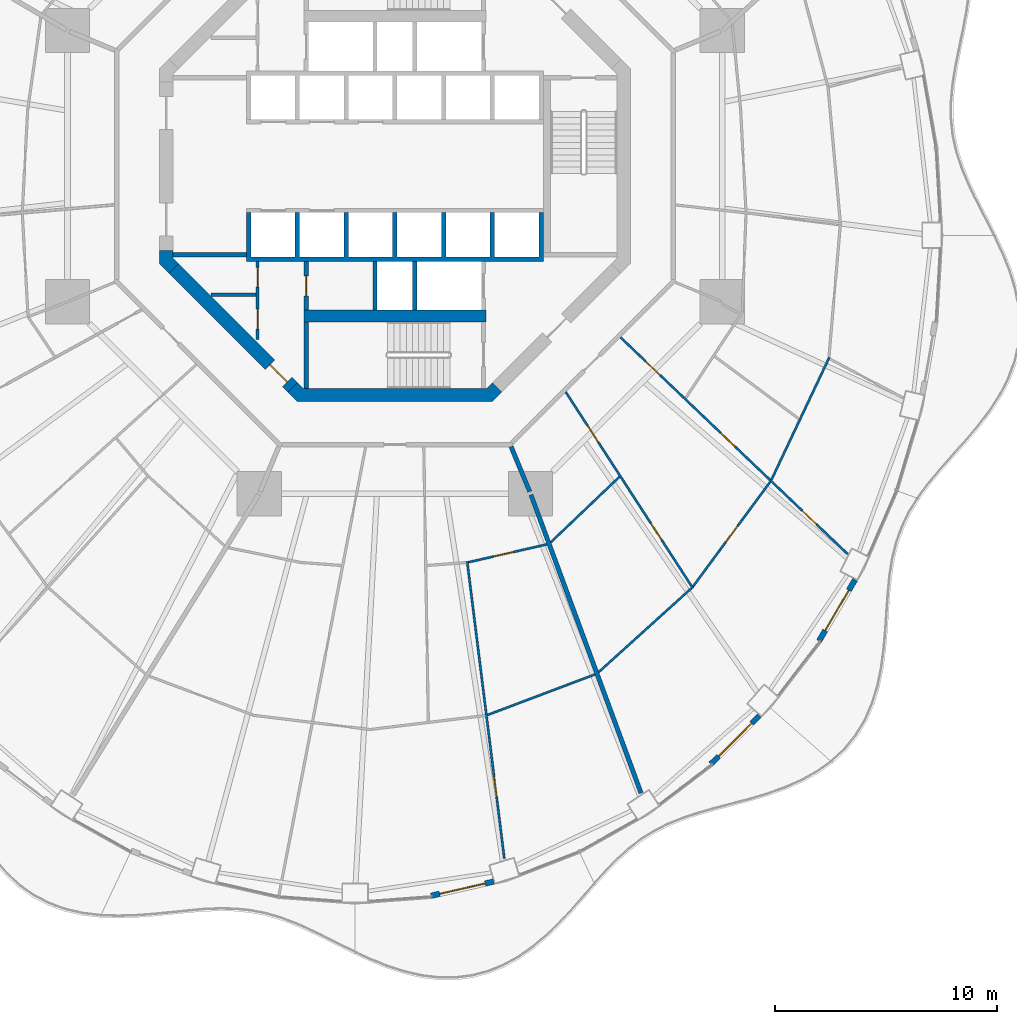
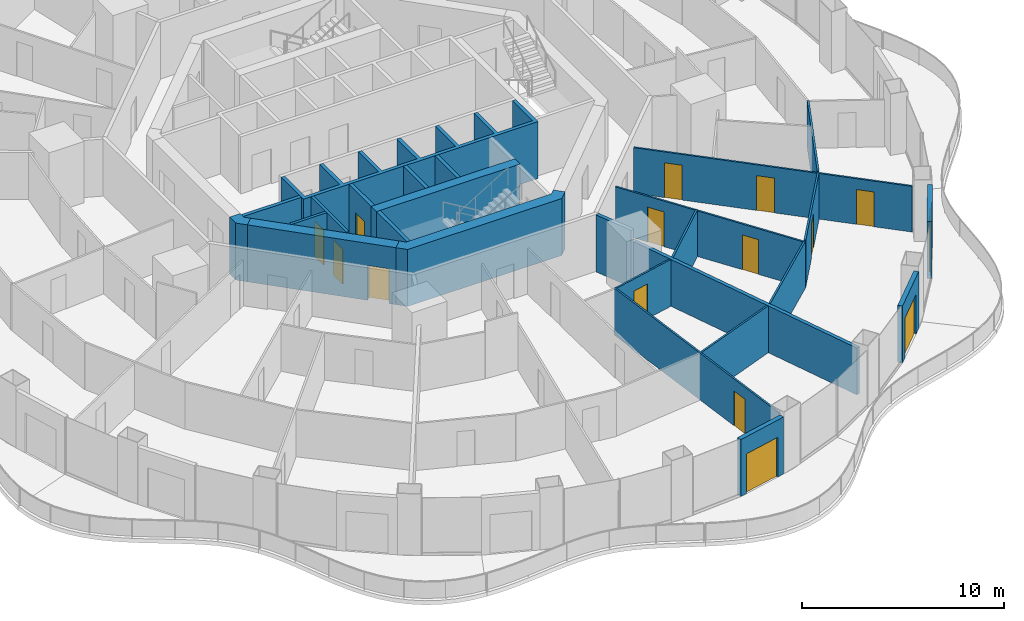
# One storey, part 13 of 20: 26 walls, 15 doors, 15 openings.
"""IFC4 building model written with IfcOpenShell, lengths in metres."""

from ifc_helpers import new_model, si_unit, direction, frame, frame_2d, origin, place, context, subcontext, project, spatial, polyline, rectangle, outline, extrude, material, layer, layer_set, type_object, element, fill, save


model = new_model("IFC4")

# Units and contexts
model_context = context("Model", 3, precision=1e-05, world=origin(), true_north=direction((0.0, 1.0)))
body_context = subcontext(model_context, "Body", "Model", "MODEL_VIEW")
ifc_project = project(units=[si_unit("LENGTHUNIT", "METRE"), si_unit("AREAUNIT", "SQUARE_METRE"), si_unit("VOLUMEUNIT", "CUBIC_METRE"), si_unit("PLANEANGLEUNIT", "RADIAN"), si_unit("MASSUNIT", "GRAM", prefix="KILO")], contexts=[model_context])

# Site, building, storey
site_placement = place(None, origin())
site = spatial("IfcSite", under=ifc_project, at=site_placement, CompositionType="ELEMENT")
building_placement = place(site_placement, origin())
building = spatial("IfcBuilding", under=site, at=building_placement, Name="Nagisa Residences", CompositionType="ELEMENT")
storey_placement = place(building_placement, frame((0.0, 0.0, 130.699951171875)))
storey = spatial("IfcBuildingStorey", under=building, at=storey_placement, Name="L32", CompositionType="ELEMENT", Elevation=130.699951171875)

# Walls
ifc_material_1 = material(Name="Gypsum board on steel studs", Category="steel")
ifc_layer_1 = layer(ifc_material_1, 0.199951171875)
ifc_layer_set_1 = layer_set([ifc_layer_1], Name="Apartment compartment wall EI60 200")
wall_type_1 = type_object("IfcWallType", Name="Apartment compartment wall EI60 200", PredefinedType="PARTITIONING", material=ifc_layer_set_1)
wall_1_placement = place(storey_placement, frame((5.24267578125, -12.6572265625, 0.0), z_axis=(0.0, 0.0, 1.0), x_axis=(0.38273085373, -0.923859888513, 0.0)))
element("IfcWall", 1, at=wall_1_placement, inside=storey, type_object=wall_type_1, Name="wall:L32:u08", PredefinedType="PARTITIONING", context=body_context, shape_type="SweptSolid", body=[
    extrude(rectangle(XDim=2.199462890625, YDim=0.199951171875, at=frame_2d((1.099609375, 0.0))), origin(), (0.0, 0.0, 1.0), 3.43994140625),
])
wall_2_placement = place(storey_placement, frame((6.14013671875, -14.8291015625, 0.0), z_axis=(0.0, 0.0, 1.0), x_axis=(0.346169582481, -0.938171956608, 0.0)))
element("IfcWall", 2, at=wall_2_placement, inside=storey, type_object=wall_type_1, Name="wall:L32:u09", PredefinedType="PARTITIONING", context=body_context, shape_type="SweptSolid", body=[
    extrude(rectangle(XDim=14.353515625, YDim=0.199951171875, at=frame_2d((7.1767578125, 0.0))), origin(), (0.0, 0.0, 1.0), 2.828125),
])

# Wall, opening, door
ifc_material_2 = material(Name="Gypsum board on steel studs", Category="steel")
ifc_layer_2 = layer(ifc_material_2, 0.10009765625)
ifc_layer_set_2 = layer_set([ifc_layer_2], Name="Apartment partition 100")
wall_type_2 = type_object("IfcWallType", Name="Apartment partition 100", PredefinedType="PARTITIONING", material=ifc_layer_set_2)
wall_3_placement = place(storey_placement, frame((3.26171875, -17.83935546875, 0.0), z_axis=(0.0, 0.0, 1.0), x_axis=(0.124074750982, -0.992272873845, 0.0)))
wall_3 = element("IfcWall", 3, at=wall_3_placement, inside=storey, type_object=wall_type_2, Name="wall:L32:u78", PredefinedType="PARTITIONING", context=body_context, shape_type="SweptSolid", body=[
    extrude(rectangle(XDim=13.51611328125, YDim=0.10009765625, at=frame_2d((6.758056640625, 0.0))), origin(), (0.0, 0.0, 1.0), 2.828125),
])
opening_1_placement = place(wall_3_placement, frame((9.810791015625, 0.0, 0.0)))
opening_1 = element("IfcOpeningElement", 4, at=opening_1_placement, cuts=wall_3, Name="Opening L32-U30", PredefinedType="OPENING", context=body_context, shape_type="SweptSolid", body=[
    extrude(rectangle(XDim=0.89990234375, YDim=2.10009765625, at=frame_2d((0.449951171875, 1.050048828125))), frame((0.0, 0.06005859375, 0.0), z_axis=(0.0, -1.0, 0.0), x_axis=(1.0, 0.0, 0.0)), (0.0, 0.0, 1.0), 0.1201171875),
])
ifc_material_3 = material(Name="Timber door set", Category="wood")
door_type_1 = type_object("IfcDoorType", Name="Apartment door 900x2100", OperationType="NOTDEFINED", PredefinedType="DOOR", material=ifc_material_3)
door_1_placement = place(opening_1_placement, origin())
door_1 = element("IfcDoor", 5, at=door_1_placement, inside=storey, type_object=door_type_1, Name="Door to master bedroom, Apartment 32C", OperationType="SINGLE_SWING_RIGHT", OverallHeight=2.10009765625, OverallWidth=0.89990234375, PredefinedType="DOOR", context=body_context, shape_type="SweptSolid", body=[
    extrude(rectangle(XDim=0.89990234375, YDim=2.10009765625, at=frame_2d((0.449951171875, 1.050048828125))), frame((0.0, 0.02490234375, 0.0), z_axis=(0.0, -1.0, 0.0), x_axis=(1.0, 0.0, 0.0)), (0.0, 0.0, 1.0), 0.050048828125),
])
fill(opening_1, door_1)

wall_4_placement = place(storey_placement, frame((3.316650390625, -17.8779296875, 0.0), z_axis=(0.0, 0.0, 1.0), x_axis=(0.975095905288, 0.221783623135, 0.0)))
wall_4 = element("IfcWall", 6, at=wall_4_placement, inside=storey, type_object=wall_type_2, Name="wall:L32:u79", PredefinedType="PARTITIONING", context=body_context, shape_type="SweptSolid", body=[
    extrude(rectangle(XDim=3.635986328125, YDim=0.10009765625, at=frame_2d((1.81787109375, 0.0))), origin(), (0.0, 0.0, 1.0), 2.828125),
])
opening_2_placement = place(wall_4_placement, frame((1.164306640625, 0.0, 0.0)))
opening_2 = element("IfcOpeningElement", 7, at=opening_2_placement, cuts=wall_4, Name="Opening L32-U27", PredefinedType="OPENING", context=body_context, shape_type="SweptSolid", body=[
    extrude(rectangle(XDim=0.89990234375, YDim=2.10009765625, at=frame_2d((0.449951171875, 1.050048828125))), frame((0.0, 0.06005859375, 0.0), z_axis=(0.0, -1.0, 0.0), x_axis=(1.0, 0.0, 0.0)), (0.0, 0.0, 1.0), 0.1201171875),
])
door_2_placement = place(opening_2_placement, frame((0.89990234375, 0.0, 0.0), x_axis=(-1.0, 0.0, 0.0)))
door_2 = element("IfcDoor", 8, at=door_2_placement, inside=storey, type_object=door_type_1, Name="Door to study, Apartment 32C", OperationType="SINGLE_SWING_RIGHT", OverallHeight=2.10009765625, OverallWidth=0.89990234375, PredefinedType="DOOR", context=body_context, shape_type="SweptSolid", body=[
    extrude(rectangle(XDim=0.89990234375, YDim=2.10009765625, at=frame_2d((0.449951171875, 1.050048828125))), frame((0.0, 0.02490234375, 0.0), z_axis=(0.0, -1.0, 0.0), x_axis=(1.0, 0.0, 0.0)), (0.0, 0.0, 1.0), 0.050048828125),
])
fill(opening_2, door_2)

# Walls
wall_5_placement = place(storey_placement, frame((4.177734375, -24.77294921875, 0.0), z_axis=(0.0, 0.0, 1.0), x_axis=(0.935583811437, 0.353104703702, 0.0)))
element("IfcWall", 9, at=wall_5_placement, inside=storey, type_object=wall_type_2, Name="wall:L32:u80", PredefinedType="PARTITIONING", context=body_context, shape_type="SweptSolid", body=[
    extrude(rectangle(XDim=5.18359375, YDim=0.10009765625, at=frame_2d((2.591796875, 0.0))), origin(), (0.0, 0.0, 1.0), 2.828125),
])
wall_6_placement = place(storey_placement, frame((7.031982421875, -16.98046875, 0.0), z_axis=(0.0, 0.0, 1.0), x_axis=(0.723709759148, 0.690104473622, 0.0)))
element("IfcWall", 10, at=wall_6_placement, inside=storey, type_object=wall_type_2, Name="wall:L32:u81", PredefinedType="PARTITIONING", context=body_context, shape_type="SweptSolid", body=[
    extrude(rectangle(XDim=4.286376953125, YDim=0.10009765625, at=frame_2d((2.14306640625, 0.0))), origin(), (0.0, 0.0, 1.0), 2.828125),
])
wall_7_placement = place(storey_placement, frame((9.195068359375, -22.84033203125, 0.0), z_axis=(0.0, 0.0, 1.0), x_axis=(0.741675855479, 0.670758470241, 0.0)))
element("IfcWall", 11, at=wall_7_placement, inside=storey, type_object=wall_type_2, Name="wall:L32:u82", PredefinedType="PARTITIONING", context=body_context, shape_type="SweptSolid", body=[
    extrude(rectangle(XDim=5.65625, YDim=0.10009765625, at=frame_2d((2.828125, 0.0))), origin(), (0.0, 0.0, 1.0), 2.828125),
])

# Wall, openings, doors
wall_8_placement = place(storey_placement, frame((7.71240234375, -10.1953125, 0.0), z_axis=(0.0, 0.0, 1.0), x_axis=(0.543868615753, -0.839170381269, 0.0)))
wall_8 = element("IfcWall", 12, at=wall_8_placement, inside=storey, type_object=wall_type_2, Name="wall:L32:u83", PredefinedType="PARTITIONING", context=body_context, shape_type="SweptSolid", body=[
    extrude(rectangle(XDim=10.5576171875, YDim=0.10009765625, at=frame_2d((5.27880859375, 0.0))), origin(), (0.0, 0.0, 1.0), 2.756103515625),
])
opening_3_placement = place(wall_8_placement, frame((1.809814453125, 0.0, 0.0)))
opening_3 = element("IfcOpeningElement", 13, at=opening_3_placement, cuts=wall_8, Name="Opening L32-U32", PredefinedType="OPENING", context=body_context, shape_type="SweptSolid", body=[
    extrude(rectangle(XDim=0.89990234375, YDim=2.10009765625, at=frame_2d((0.449951171875, 1.050048828125))), frame((0.0, 0.06005859375, 0.0), z_axis=(0.0, -1.0, 0.0), x_axis=(1.0, 0.0, 0.0)), (0.0, 0.0, 1.0), 0.1201171875),
])
opening_4_placement = place(wall_8_placement, frame((7.063720703125, 0.0, 0.0)))
opening_4 = element("IfcOpeningElement", 14, at=opening_4_placement, cuts=wall_8, Name="Opening L32-U34", PredefinedType="OPENING", context=body_context, shape_type="SweptSolid", body=[
    extrude(rectangle(XDim=0.89990234375, YDim=2.10009765625, at=frame_2d((0.449951171875, 1.050048828125))), frame((0.0, 0.06005859375, 0.0), z_axis=(0.0, -1.0, 0.0), x_axis=(1.0, 0.0, 0.0)), (0.0, 0.0, 1.0), 0.1201171875),
])
door_3_placement = place(opening_3_placement, frame((0.89990234375, 0.0, 0.0), x_axis=(-1.0, 0.0, 0.0)))
door_3 = element("IfcDoor", 15, at=door_3_placement, inside=storey, type_object=door_type_1, Name="Door to family bathroom, Apartment 32D", OperationType="SINGLE_SWING_LEFT", OverallHeight=2.10009765625, OverallWidth=0.89990234375, PredefinedType="DOOR", context=body_context, shape_type="SweptSolid", body=[
    extrude(rectangle(XDim=0.89990234375, YDim=2.10009765625, at=frame_2d((0.449951171875, 1.050048828125))), frame((0.0, 0.02490234375, 0.0), z_axis=(0.0, -1.0, 0.0), x_axis=(1.0, 0.0, 0.0)), (0.0, 0.0, 1.0), 0.050048828125),
])
fill(opening_3, door_3)
door_4_placement = place(opening_4_placement, frame((0.89990234375, 0.0, 0.0), x_axis=(-1.0, 0.0, 0.0)))
door_4 = element("IfcDoor", 16, at=door_4_placement, inside=storey, type_object=door_type_1, Name="Door to study, Apartment 32D", OperationType="SINGLE_SWING_LEFT", OverallHeight=2.10009765625, OverallWidth=0.89990234375, PredefinedType="DOOR", context=body_context, shape_type="SweptSolid", body=[
    extrude(rectangle(XDim=0.89990234375, YDim=2.10009765625, at=frame_2d((0.449951171875, 1.050048828125))), frame((0.0, 0.02490234375, 0.0), z_axis=(0.0, -1.0, 0.0), x_axis=(1.0, 0.0, 0.0)), (0.0, 0.0, 1.0), 0.050048828125),
])
fill(opening_4, door_4)

# Wall, opening, door
wall_9_placement = place(storey_placement, frame((13.456787109375, -18.97265625, 0.0), z_axis=(0.0, 0.0, 1.0), x_axis=(0.593532053206, 0.80481035146, 0.0)))
wall_9 = element("IfcWall", 17, at=wall_9_placement, inside=storey, type_object=wall_type_2, Name="wall:L32:u84", PredefinedType="PARTITIONING", context=body_context, shape_type="SweptSolid", body=[
    extrude(rectangle(XDim=5.8759765625, YDim=0.10009765625, at=frame_2d((2.93798828125, 0.0))), origin(), (0.0, 0.0, 1.0), 2.828125),
])
opening_5_placement = place(wall_9_placement, frame((2.48779296875, 0.0, 0.0)))
opening_5 = element("IfcOpeningElement", 18, at=opening_5_placement, cuts=wall_9, Name="Opening L32-U36", PredefinedType="OPENING", context=body_context, shape_type="SweptSolid", body=[
    extrude(rectangle(XDim=0.89990234375, YDim=2.10009765625, at=frame_2d((0.449951171875, 1.050048828125))), frame((0.0, 0.06005859375, 0.0), z_axis=(0.0, -1.0, 0.0), x_axis=(1.0, 0.0, 0.0)), (0.0, 0.0, 1.0), 0.1201171875),
])
door_5_placement = place(opening_5_placement, frame((0.89990234375, 0.0, 0.0), x_axis=(-1.0, 0.0, 0.0)))
door_5 = element("IfcDoor", 19, at=door_5_placement, inside=storey, type_object=door_type_1, Name="Door to family room, Apartment 32D", OperationType="SINGLE_SWING_LEFT", OverallHeight=2.10009765625, OverallWidth=0.89990234375, PredefinedType="DOOR", context=body_context, shape_type="SweptSolid", body=[
    extrude(rectangle(XDim=0.89990234375, YDim=2.10009765625, at=frame_2d((0.449951171875, 1.050048828125))), frame((0.0, 0.02490234375, 0.0), z_axis=(0.0, -1.0, 0.0), x_axis=(1.0, 0.0, 0.0)), (0.0, 0.0, 1.0), 0.050048828125),
])
fill(opening_5, door_5)

# Wall, openings, doors
wall_10_placement = place(storey_placement, frame((10.18359375, -7.72705078125, 0.0), z_axis=(0.0, 0.0, 1.0), x_axis=(0.723635100101, -0.690182759783, 0.0)))
wall_10 = element("IfcWall", 20, at=wall_10_placement, inside=storey, type_object=wall_type_2, Name="wall:L32:u85", PredefinedType="PARTITIONING", context=body_context, shape_type="SweptSolid", body=[
    extrude(rectangle(XDim=14.173095703125, YDim=0.10009765625, at=frame_2d((7.08642578125, 0.0))), origin(), (0.0, 0.0, 1.0), 2.756103515625),
])
opening_6_placement = place(wall_10_placement, frame((1.56494140625, 0.0, 0.0)))
opening_6 = element("IfcOpeningElement", 21, at=opening_6_placement, cuts=wall_10, Name="Opening L32-U33", PredefinedType="OPENING", context=body_context, shape_type="SweptSolid", body=[
    extrude(rectangle(XDim=0.89990234375, YDim=2.10009765625, at=frame_2d((0.449951171875, 1.050048828125))), frame((0.0, 0.06005859375, 0.0), z_axis=(0.0, -1.0, 0.0), x_axis=(1.0, 0.0, 0.0)), (0.0, 0.0, 1.0), 0.1201171875),
])
opening_7_placement = place(wall_10_placement, frame((6.2568359375, 0.0, 0.0)))
opening_7 = element("IfcOpeningElement", 22, at=opening_7_placement, cuts=wall_10, Name="Opening L32-U35", PredefinedType="OPENING", context=body_context, shape_type="SweptSolid", body=[
    extrude(rectangle(XDim=0.89990234375, YDim=2.10009765625, at=frame_2d((0.449951171875, 1.050048828125))), frame((0.0, 0.06005859375, 0.0), z_axis=(0.0, -1.0, 0.0), x_axis=(1.0, 0.0, 0.0)), (0.0, 0.0, 1.0), 0.1201171875),
])
opening_8_placement = place(wall_10_placement, frame((11.328369140625, 0.0, 0.0)))
opening_8 = element("IfcOpeningElement", 23, at=opening_8_placement, cuts=wall_10, Name="Opening L32-U37", PredefinedType="OPENING", context=body_context, shape_type="SweptSolid", body=[
    extrude(rectangle(XDim=0.89990234375, YDim=2.10009765625, at=frame_2d((0.449951171875, 1.050048828125))), frame((0.0, 0.06005859375, 0.0), z_axis=(0.0, -1.0, 0.0), x_axis=(1.0, 0.0, 0.0)), (0.0, 0.0, 1.0), 0.1201171875),
])
door_6_placement = place(opening_6_placement, origin())
door_6 = element("IfcDoor", 24, at=door_6_placement, inside=storey, type_object=door_type_1, Name="Door to family bathroom, Apartment 32D", OperationType="SINGLE_SWING_LEFT", OverallHeight=2.10009765625, OverallWidth=0.89990234375, PredefinedType="DOOR", context=body_context, shape_type="SweptSolid", body=[
    extrude(rectangle(XDim=0.89990234375, YDim=2.10009765625, at=frame_2d((0.449951171875, 1.050048828125))), frame((0.0, 0.02490234375, 0.0), z_axis=(0.0, -1.0, 0.0), x_axis=(1.0, 0.0, 0.0)), (0.0, 0.0, 1.0), 0.050048828125),
])
fill(opening_6, door_6)
door_7_placement = place(opening_7_placement, origin())
door_7 = element("IfcDoor", 25, at=door_7_placement, inside=storey, type_object=door_type_1, Name="Door to family bathroom, Apartment 32D", OperationType="SINGLE_SWING_LEFT", OverallHeight=2.10009765625, OverallWidth=0.89990234375, PredefinedType="DOOR", context=body_context, shape_type="SweptSolid", body=[
    extrude(rectangle(XDim=0.89990234375, YDim=2.10009765625, at=frame_2d((0.449951171875, 1.050048828125))), frame((0.0, 0.02490234375, 0.0), z_axis=(0.0, -1.0, 0.0), x_axis=(1.0, 0.0, 0.0)), (0.0, 0.0, 1.0), 0.050048828125),
])
fill(opening_7, door_7)
door_8_placement = place(opening_8_placement, origin())
door_8 = element("IfcDoor", 26, at=door_8_placement, inside=storey, type_object=door_type_1, Name="Door to bedroom, Apartment 32D", OperationType="SINGLE_SWING_LEFT", OverallHeight=2.10009765625, OverallWidth=0.89990234375, PredefinedType="DOOR", context=body_context, shape_type="SweptSolid", body=[
    extrude(rectangle(XDim=0.89990234375, YDim=2.10009765625, at=frame_2d((0.449951171875, 1.050048828125))), frame((0.0, 0.02490234375, 0.0), z_axis=(0.0, -1.0, 0.0), x_axis=(1.0, 0.0, 0.0)), (0.0, 0.0, 1.0), 0.050048828125),
])
fill(opening_8, door_8)

# Wall
wall_11_placement = place(storey_placement, frame((16.995361328125, -14.158203125, 0.0), z_axis=(0.0, 0.0, 1.0), x_axis=(0.427456178439, 0.904036069808, 0.0)))
element("IfcWall", 27, at=wall_11_placement, inside=storey, type_object=wall_type_2, Name="wall:L32:u87", PredefinedType="PARTITIONING", context=body_context, shape_type="SweptSolid", body=[
    extrude(rectangle(XDim=6.113037109375, YDim=0.10009765625, at=frame_2d((3.056640625, 0.0))), origin(), (0.0, 0.0, 1.0), 2.828125),
])

# Wall, opening, door
ifc_material_4 = material(Name="Precast concrete C40/50", Category="concrete")
ifc_layer_3 = layer(ifc_material_4, 0.25)
ifc_layer_set_3 = layer_set([ifc_layer_3], Name="BALCONY DOOR WALL 250")
wall_type_3 = type_object("IfcWallType", Name="BALCONY DOOR WALL 250", PredefinedType="SOLIDWALL", material=ifc_layer_set_3)
wall_12_placement = place(storey_placement, frame((4.455078125, -32.29443359375, 0.0), z_axis=(0.0, 0.0, 1.0), x_axis=(-0.975339035722, -0.220711951186, 0.0)))
wall_12 = element("IfcWall", 28, at=wall_12_placement, inside=storey, type_object=wall_type_3, Name="wall:L32:bay37", PredefinedType="SOLIDWALL", context=body_context, shape_type="SweptSolid", body=[
    extrude(rectangle(XDim=2.890380859375, YDim=0.25, at=frame_2d((1.4453125, 0.0))), origin(), (0.0, 0.0, 1.0), 3.43994140625),
])
opening_9_placement = place(wall_12_placement, frame((0.395263671875, 0.0, 0.0)))
opening_9 = element("IfcOpeningElement", 29, at=opening_9_placement, cuts=wall_12, Name="Opening BD-L32-13", PredefinedType="OPENING", context=body_context, shape_type="SweptSolid", body=[
    extrude(rectangle(XDim=2.10009765625, YDim=2.39990234375, at=frame_2d((1.050048828125, 1.199951171875))), frame((0.0, 0.135009765625, 0.0), z_axis=(0.0, -1.0, 0.0), x_axis=(1.0, 0.0, 0.0)), (0.0, 0.0, 1.0), 0.27001953125),
])
ifc_material_5 = material(Name="Aluminium and clear glass", Category="aluminium")
door_type_2 = type_object("IfcDoorType", Name="BALCONY SLIDING DOOR 2100x2400", OperationType="SLIDING_TO_LEFT", PredefinedType="DOOR", material=ifc_material_5)
door_9_placement = place(opening_9_placement, origin())
door_9 = element("IfcDoor", 30, at=door_9_placement, inside=storey, type_object=door_type_2, Name="door:L32:bay37", OperationType="SLIDING_TO_LEFT", OverallHeight=2.39990234375, OverallWidth=2.10009765625, PredefinedType="DOOR", context=body_context, shape_type="SweptSolid", body=[
    extrude(rectangle(XDim=2.10009765625, YDim=2.39990234375, at=frame_2d((1.050048828125, 1.199951171875))), frame((0.0, 0.02490234375, 0.0), z_axis=(0.0, -1.0, 0.0), x_axis=(1.0, 0.0, 0.0)), (0.0, 0.0, 1.0), 0.050048828125),
])
fill(opening_9, door_9)

wall_13_placement = place(storey_placement, frame((16.4501953125, -24.80419921875, 0.0), z_axis=(0.0, 0.0, 1.0), x_axis=(-0.707857739375, -0.706355024621, 0.0)))
wall_13 = element("IfcWall", 31, at=wall_13_placement, inside=storey, type_object=wall_type_3, Name="wall:L32:bay41", PredefinedType="SOLIDWALL", context=body_context, shape_type="SweptSolid", body=[
    extrude(rectangle(XDim=3.0869140625, YDim=0.25, at=frame_2d((1.54345703125, 0.0))), origin(), (0.0, 0.0, 1.0), 3.43994140625),
])
opening_10_placement = place(wall_13_placement, frame((0.493408203125, 0.0, 0.0)))
opening_10 = element("IfcOpeningElement", 32, at=opening_10_placement, cuts=wall_13, Name="Opening BD-L32-14", PredefinedType="OPENING", context=body_context, shape_type="SweptSolid", body=[
    extrude(rectangle(XDim=2.10009765625, YDim=2.39990234375, at=frame_2d((1.050048828125, 1.199951171875))), frame((0.0, 0.135009765625, 0.0), z_axis=(0.0, -1.0, 0.0), x_axis=(1.0, 0.0, 0.0)), (0.0, 0.0, 1.0), 0.27001953125),
])
door_10_placement = place(opening_10_placement, origin())
door_10 = element("IfcDoor", 33, at=door_10_placement, inside=storey, type_object=door_type_2, Name="door:L32:bay41", OperationType="SLIDING_TO_LEFT", OverallHeight=2.39990234375, OverallWidth=2.10009765625, PredefinedType="DOOR", context=body_context, shape_type="SweptSolid", body=[
    extrude(rectangle(XDim=2.10009765625, YDim=2.39990234375, at=frame_2d((1.050048828125, 1.199951171875))), frame((0.0, 0.02490234375, 0.0), z_axis=(0.0, -1.0, 0.0), x_axis=(1.0, 0.0, 0.0)), (0.0, 0.0, 1.0), 0.050048828125),
])
fill(opening_10, door_10)

wall_14_placement = place(storey_placement, frame((20.768310546875, -18.669189453125, 0.0), z_axis=(0.0, 0.0, 1.0), x_axis=(-0.506314982873, -0.862348617508, 0.0)))
wall_14 = element("IfcWall", 34, at=wall_14_placement, inside=storey, type_object=wall_type_3, Name="wall:L32:bay43", PredefinedType="SOLIDWALL", context=body_context, shape_type="SweptSolid", body=[
    extrude(rectangle(XDim=3.20849609375, YDim=0.25, at=frame_2d((1.604248046875, 0.0))), origin(), (0.0, 0.0, 1.0), 3.43994140625),
])
opening_11_placement = place(wall_14_placement, frame((0.55419921875, 0.0, 0.0)))
opening_11 = element("IfcOpeningElement", 35, at=opening_11_placement, cuts=wall_14, Name="Opening BD-L32-15", PredefinedType="OPENING", context=body_context, shape_type="SweptSolid", body=[
    extrude(rectangle(XDim=2.10009765625, YDim=2.39990234375, at=frame_2d((1.050048828125, 1.199951171875))), frame((0.0, 0.135009765625, 0.0), z_axis=(0.0, -1.0, 0.0), x_axis=(1.0, 0.0, 0.0)), (0.0, 0.0, 1.0), 0.27001953125),
])
door_11_placement = place(opening_11_placement, origin())
door_11 = element("IfcDoor", 36, at=door_11_placement, inside=storey, type_object=door_type_2, Name="door:L32:bay43", OperationType="SLIDING_TO_LEFT", OverallHeight=2.39990234375, OverallWidth=2.10009765625, PredefinedType="DOOR", context=body_context, shape_type="SweptSolid", body=[
    extrude(rectangle(XDim=2.10009765625, YDim=2.39990234375, at=frame_2d((1.050048828125, 1.199951171875))), frame((0.0, 0.02490234375, 0.0), z_axis=(0.0, -1.0, 0.0), x_axis=(1.0, 0.0, 0.0)), (0.0, 0.0, 1.0), 0.050048828125),
])
fill(opening_11, door_11)

# Wall, openings, doors
ifc_material_6 = material(Name="Gypsum board on steel studs", Category="steel")
ifc_layer_4 = layer(ifc_material_6, 0.14990234375)
ifc_layer_set_4 = layer_set([ifc_layer_4], Name="Core partition 150")
wall_type_4 = type_object("IfcWallType", Name="Core partition 150", PredefinedType="PARTITIONING", material=ifc_layer_set_4)
wall_15_placement = place(storey_placement, frame((-6.199951171875, -7.826904296875, 0.0), z_axis=(0.0, 0.0, 1.0), x_axis=(0.0, 1.0, 0.0)))
wall_15 = element("IfcWall", 37, at=wall_15_placement, inside=storey, type_object=wall_type_4, Name="wall:L32:SWp", PredefinedType="PARTITIONING", context=body_context, shape_type="SweptSolid", body=[
    extrude(rectangle(XDim=3.52685546875, YDim=0.14990234375, at=frame_2d((1.763427734375, 0.0))), origin(), (0.0, 0.0, 1.0), 3.43994140625),
])
opening_12_placement = place(wall_15_placement, frame((2.364501953125, 0.0, 0.0)))
opening_12 = element("IfcOpeningElement", 38, at=opening_12_placement, cuts=wall_15, Name="Opening L32-C14", PredefinedType="OPENING", context=body_context, shape_type="SweptSolid", body=[
    extrude(rectangle(XDim=0.89990234375, YDim=2.10009765625, at=frame_2d((0.449951171875, 1.050048828125))), frame((0.0, 0.0849609375, 0.0), z_axis=(0.0, -1.0, 0.0), x_axis=(1.0, 0.0, 0.0)), (0.0, 0.0, 1.0), 0.169921875),
])
opening_13_placement = place(wall_15_placement, frame((0.488525390625, 0.0, 0.0)))
opening_13 = element("IfcOpeningElement", 39, at=opening_13_placement, cuts=wall_15, Name="Opening L32-C15", PredefinedType="OPENING", context=body_context, shape_type="SweptSolid", body=[
    extrude(rectangle(XDim=0.89990234375, YDim=2.10009765625, at=frame_2d((0.449951171875, 1.050048828125))), frame((0.0, 0.0849609375, 0.0), z_axis=(0.0, -1.0, 0.0), x_axis=(1.0, 0.0, 0.0)), (0.0, 0.0, 1.0), 0.169921875),
])
ifc_material_7 = material(Name="Steel fire door", Category="steel")
door_type_3 = type_object("IfcDoorType", Name="Fire door EI30 900x2100 single swing", OperationType="NOTDEFINED", PredefinedType="DOOR", material=ifc_material_7)
door_12_placement = place(opening_12_placement, origin())
door_12 = element("IfcDoor", 40, at=door_12_placement, inside=storey, type_object=door_type_3, Name="Refuse room door L32", OperationType="SINGLE_SWING_RIGHT", OverallHeight=2.10009765625, OverallWidth=0.89990234375, PredefinedType="DOOR", context=body_context, shape_type="SweptSolid", body=[
    extrude(rectangle(XDim=0.89990234375, YDim=2.10009765625, at=frame_2d((0.449951171875, 1.050048828125))), frame((0.0, 0.02490234375, 0.0), z_axis=(0.0, -1.0, 0.0), x_axis=(1.0, 0.0, 0.0)), (0.0, 0.0, 1.0), 0.050048828125),
])
fill(opening_12, door_12)
door_13_placement = place(opening_13_placement, origin())
door_13 = element("IfcDoor", 41, at=door_13_placement, inside=storey, type_object=door_type_3, Name="Hose reel room door L32", OperationType="SINGLE_SWING_RIGHT", OverallHeight=2.10009765625, OverallWidth=0.89990234375, PredefinedType="DOOR", context=body_context, shape_type="SweptSolid", body=[
    extrude(rectangle(XDim=0.89990234375, YDim=2.10009765625, at=frame_2d((0.449951171875, 1.050048828125))), frame((0.0, 0.02490234375, 0.0), z_axis=(0.0, -1.0, 0.0), x_axis=(1.0, 0.0, 0.0)), (0.0, 0.0, 1.0), 0.050048828125),
])
fill(opening_13, door_13)

# Walls
wall_16_placement = place(storey_placement, frame((-8.301025390625, -5.800048828125, 0.0), z_axis=(0.0, 0.0, 1.0), x_axis=(1.0, 0.0, 0.0)))
element("IfcWall", 42, at=wall_16_placement, inside=storey, type_object=wall_type_4, Name="wall:L32:SWq", PredefinedType="PARTITIONING", context=body_context, shape_type="SweptSolid", body=[
    extrude(rectangle(XDim=2.026123046875, YDim=0.14990234375, at=frame_2d((1.01318359375, 0.0))), origin(), (0.0, 0.0, 1.0), 3.43994140625),
])
ifc_material_8 = material(Name="Gypsum board on steel studs", Category="steel")
ifc_layer_5 = layer(ifc_material_8, 0.199951171875)
ifc_layer_set_5 = layer_set([ifc_layer_5], Name="Core partition 200")
wall_type_5 = type_object("IfcWallType", Name="Core partition 200", PredefinedType="PARTITIONING", material=ifc_layer_set_5)
wall_17_placement = place(storey_placement, frame((-10.024658203125, -4.0, 0.0), z_axis=(0.0, 0.0, 1.0), x_axis=(1.0, 0.0, 0.0)))
element("IfcWall", 43, at=wall_17_placement, inside=storey, type_object=wall_type_5, Name="wall:L32:PSW", PredefinedType="PARTITIONING", context=body_context, shape_type="SweptSolid", body=[
    extrude(rectangle(XDim=3.32470703125, YDim=0.199951171875, at=frame_2d((1.662353515625, 0.0))), origin(), (0.0, 0.0, 1.0), 3.43994140625),
])

# Wall, opening, door
ifc_material_9 = material(Name="Concrete C60", Category="concrete")
ifc_layer_6 = layer(ifc_material_9, 0.60009765625)
ifc_layer_set_6 = layer_set([ifc_layer_6], Name="Core shear wall 600")
wall_type_6 = type_object("IfcWallType", Name="Core shear wall 600", PredefinedType="SHEAR", material=ifc_layer_set_6)
wall_18_placement = place(storey_placement, frame((-9.98828125, -4.613037109375, 0.0), z_axis=(0.0, 0.0, 1.0), x_axis=(0.707106781187, -0.707106781187, 0.0)))
wall_18 = element("IfcWall", 44, at=wall_18_placement, inside=storey, type_object=wall_type_6, Name="wall:L32:core:flat5", PredefinedType="SHEAR", context=body_context, shape_type="SweptSolid", body=[
    extrude(rectangle(XDim=7.601806640625, YDim=0.60009765625, at=frame_2d((3.80078125, 0.0))), origin(), (0.0, 0.0, 1.0), 3.43994140625),
])
opening_14_placement = place(wall_18_placement, frame((6.15087890625, 0.0, 0.0)))
opening_14 = element("IfcOpeningElement", 45, at=opening_14_placement, cuts=wall_18, Name="Opening L32-C22", PredefinedType="OPENING", context=body_context, shape_type="SweptSolid", body=[
    extrude(rectangle(XDim=1.10009765625, YDim=2.10009765625, at=frame_2d((0.550048828125, 1.050048828125))), frame((0.0, 0.31005859375, 0.0), z_axis=(0.0, -1.0, 0.0), x_axis=(1.0, 0.0, 0.0)), (0.0, 0.0, 1.0), 0.6201171875),
])
ifc_material_10 = material(Name="Steel fire door", Category="steel")
door_type_4 = type_object("IfcDoorType", Name="Fire door EI60 1100x2100 single swing", OperationType="NOTDEFINED", PredefinedType="DOOR", material=ifc_material_10)
door_14_placement = place(opening_14_placement, origin())
door_14 = element("IfcDoor", 46, at=door_14_placement, inside=storey, type_object=door_type_4, Name="Housekeeping lobby door L32", OperationType="SINGLE_SWING_LEFT", OverallHeight=2.10009765625, OverallWidth=1.10009765625, PredefinedType="DOOR", context=body_context, shape_type="SweptSolid", body=[
    extrude(rectangle(XDim=1.10009765625, YDim=2.10009765625, at=frame_2d((0.550048828125, 1.050048828125))), frame((0.0, 0.02490234375, 0.0), z_axis=(0.0, -1.0, 0.0), x_axis=(1.0, 0.0, 0.0)), (0.0, 0.0, 1.0), 0.050048828125),
])
fill(opening_14, door_14)

# Walls
wall_19_placement = place(storey_placement, origin())
element("IfcWall", 47, at=wall_19_placement, inside=storey, type_object=wall_type_6, Name="wall:L32:core:pier4", PredefinedType="SHEAR", context=body_context, shape_type="SweptSolid", body=[
    extrude(outline(polyline([(-10.62451171875, -3.80078125), (-10.024658203125, -3.80078125), (-10.024658203125, -4.15234375), (-9.776123046875, -4.40087890625), (-10.200439453125, -4.8251953125), (-10.62451171875, -4.40087890625), (-10.62451171875, -3.80078125)])), origin(), (0.0, 0.0, 1.0), 3.43994140625),
])
wall_20_placement = place(storey_placement, origin())
element("IfcWall", 48, at=wall_20_placement, inside=storey, type_object=wall_type_6, Name="wall:L32:core:flat6", PredefinedType="SHEAR", context=body_context, shape_type="SweptSolid", body=[
    extrude(outline(polyline([(-4.15234375, -10.024658203125), (4.15234375, -10.024658203125), (4.40087890625, -9.776123046875), (4.8251953125, -10.200439453125), (4.40087890625, -10.62451171875), (-4.40087890625, -10.62451171875), (-4.8251953125, -10.200439453125), (-4.40087890625, -9.776123046875), (-4.15234375, -10.024658203125)])), origin(), (0.0, 0.0, 1.0), 3.43994140625),
])

# Wall, opening, door
ifc_material_11 = material(Name="Concrete C60", Category="concrete")
ifc_layer_7 = layer(ifc_material_11, 0.199951171875)
ifc_layer_set_7 = layer_set([ifc_layer_7], Name="Lift shaft wall 200")
wall_type_7 = type_object("IfcWallType", Name="Lift shaft wall 200", PredefinedType="SOLIDWALL", material=ifc_layer_set_7)
wall_21_placement = place(storey_placement, frame((-4.0, -6.5, 0.0), z_axis=(0.0, 0.0, 1.0), x_axis=(0.0, 1.0, 0.0)))
wall_21 = element("IfcWall", 49, at=wall_21_placement, inside=storey, type_object=wall_type_7, Name="wall:L32:Sb4", PredefinedType="SOLIDWALL", context=body_context, shape_type="SweptSolid", body=[
    extrude(rectangle(XDim=2.199951171875, YDim=0.199951171875, at=frame_2d((1.10009765625, 0.0))), origin(), (0.0, 0.0, 1.0), 3.43994140625),
])
opening_15_placement = place(wall_21_placement, frame((0.64990234375, 0.0, 0.0)))
opening_15 = element("IfcOpeningElement", 50, at=opening_15_placement, cuts=wall_21, Name="Opening L32-C16", PredefinedType="OPENING", context=body_context, shape_type="SweptSolid", body=[
    extrude(rectangle(XDim=0.89990234375, YDim=2.10009765625, at=frame_2d((0.449951171875, 1.050048828125))), frame((0.0, 0.10986328125, 0.0), z_axis=(0.0, -1.0, 0.0), x_axis=(1.0, 0.0, 0.0)), (0.0, 0.0, 1.0), 0.219970703125),
])
door_15_placement = place(opening_15_placement, frame((0.89990234375, 0.0, 0.0), x_axis=(-1.0, 0.0, 0.0)))
door_15 = element("IfcDoor", 51, at=door_15_placement, inside=storey, type_object=door_type_3, Name="Refuse room door L32", OperationType="SINGLE_SWING_LEFT", OverallHeight=2.10009765625, OverallWidth=0.89990234375, PredefinedType="DOOR", context=body_context, shape_type="SweptSolid", body=[
    extrude(rectangle(XDim=0.89990234375, YDim=2.10009765625, at=frame_2d((0.449951171875, 1.050048828125))), frame((0.0, 0.02490234375, 0.0), z_axis=(0.0, -1.0, 0.0), x_axis=(1.0, 0.0, 0.0)), (0.0, 0.0, 1.0), 0.050048828125),
])
fill(opening_15, door_15)

# Walls
for number, where, z_axis, x_axis, name in (
    (52, (-0.89990234375, -6.5, 0.0), (0.0, 0.0, 1.0), (0.0, 1.0, 0.0), "wall:L32:Sb1"),
    (53, (0.89990234375, -6.5, 0.0), (0.0, 0.0, 1.0), (0.0, 1.0, 0.0), "wall:L32:Sb2"),
):
    element("IfcWall", number, at=place(storey_placement, frame(where, z_axis=z_axis, x_axis=x_axis)), inside=storey, type_object=wall_type_7, Name=name, PredefinedType="SOLIDWALL", context=body_context, shape_type="SweptSolid", body=[
        extrude(rectangle(XDim=2.199951171875, YDim=0.199951171875, at=frame_2d((1.10009765625, 0.0))), origin(), (0.0, 0.0, 1.0), 3.43994140625),
    ])
wall_22_placement = place(storey_placement, origin())
element("IfcWall", 54, at=wall_22_placement, inside=storey, type_object=wall_type_7, Name="wall:L32:Sback", PredefinedType="SOLIDWALL", context=body_context, shape_type="SweptSolid", body=[
    extrude(outline(polyline([(-6.699951171875, -2.10009765625), (-6.5, -2.10009765625), (-6.5, -4.10009765625), (-4.5, -4.10009765625), (-4.5, -2.10009765625), (-4.300048828125, -2.10009765625), (-4.300048828125, -4.10009765625), (-2.300048828125, -4.10009765625), (-2.300048828125, -2.10009765625), (-2.10009765625, -2.10009765625), (-2.10009765625, -4.10009765625), (-0.10009765625, -4.10009765625), (-0.10009765625, -2.10009765625), (0.10009765625, -2.10009765625), (0.10009765625, -4.10009765625), (2.10009765625, -4.10009765625), (2.10009765625, -2.10009765625), (2.300048828125, -2.10009765625), (2.300048828125, -4.10009765625), (4.300048828125, -4.10009765625), (4.300048828125, -2.10009765625), (4.5, -2.10009765625), (4.5, -4.10009765625), (6.5, -4.10009765625), (6.5, -2.10009765625), (6.699951171875, -2.10009765625), (6.699951171875, -4.300048828125), (-6.699951171875, -4.300048828125), (-6.699951171875, -2.10009765625)])), origin(), (0.0, 0.0, 1.0), 3.43994140625),
])
ifc_material_12 = material(Name="Concrete C60", Category="concrete")
ifc_layer_8 = layer(ifc_material_12, 0.199951171875)
ifc_layer_set_8 = layer_set([ifc_layer_8], Name="Stair enclosure wall 200")
wall_type_8 = type_object("IfcWallType", Name="Stair enclosure wall 200", PredefinedType="SOLIDWALL", material=ifc_layer_set_8)
wall_23_placement = place(storey_placement, origin())
element("IfcWall", 55, at=wall_23_placement, inside=storey, type_object=wall_type_8, Name="wall:L32:SS_w", PredefinedType="SOLIDWALL", context=body_context, shape_type="SweptSolid", body=[
    extrude(outline(polyline([(-3.89990234375, -10.024658203125), (-4.10009765625, -10.024658203125), (-4.10009765625, -7.024658203125), (-3.89990234375, -7.024658203125), (-3.89990234375, -10.024658203125)])), origin(), (0.0, 0.0, 1.0), 3.43994140625),
])
wall_24_placement = place(storey_placement, origin())
element("IfcWall", 56, at=wall_24_placement, inside=storey, type_object=wall_type_8, Name="wall:L32:SS_n", PredefinedType="SOLIDWALL", context=body_context, shape_type="SweptSolid", body=[
    extrude(outline(polyline([(4.10009765625, -7.024658203125), (-4.10009765625, -7.024658203125), (-4.10009765625, -6.5), (4.10009765625, -6.5), (4.10009765625, -7.024658203125)])), origin(), (0.0, 0.0, 1.0), 3.43994140625),
])

save(model, "model.ifc")
